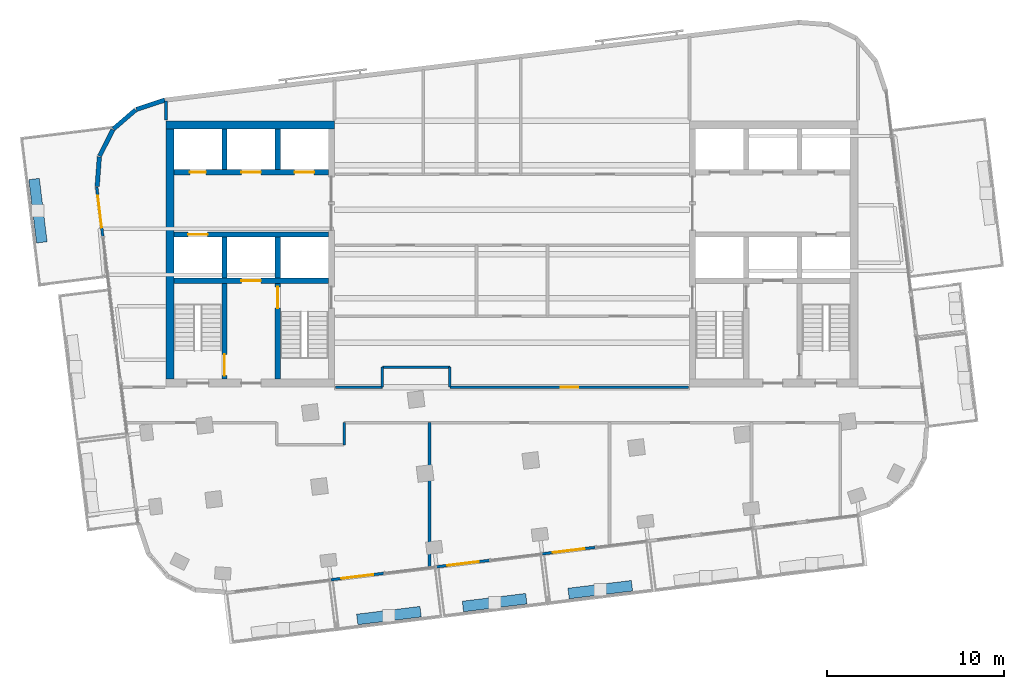
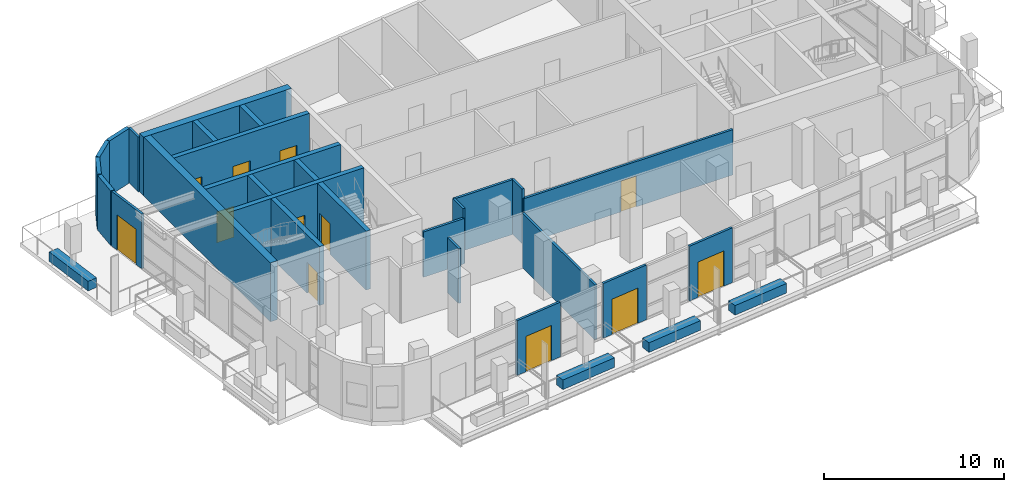
# One storey, part 7 of 14: 31 walls, 12 doors, 12 openings.
"""IFC4 building model written with IfcOpenShell, lengths in metres."""

from ifc_helpers import new_model, si_unit, direction, frame, frame_2d, origin, place, context, subcontext, project, spatial, rectangle, extrude, material, layer, layer_set, type_object, element, fill, save


model = new_model("IFC4")

# Units and contexts
model_context = context("Model", 3, precision=1e-05, world=origin(), true_north=direction((0.0, 1.0)))
body_context = subcontext(model_context, "Body", "Model", "MODEL_VIEW")
ifc_project = project(units=[si_unit("LENGTHUNIT", "METRE"), si_unit("AREAUNIT", "SQUARE_METRE"), si_unit("VOLUMEUNIT", "CUBIC_METRE"), si_unit("PLANEANGLEUNIT", "RADIAN"), si_unit("MASSUNIT", "GRAM", prefix="KILO")], contexts=[model_context])

# Site, building, storey
site_placement = place(None, origin())
site = spatial("IfcSite", under=ifc_project, at=site_placement, CompositionType="ELEMENT")
building_placement = place(site_placement, origin())
building = spatial("IfcBuilding", under=site, at=building_placement, Name="Torana Hotel and Residences", CompositionType="ELEMENT")
storey_placement = place(building_placement, frame((0.0, 0.0, 318.60009765625)))
storey = spatial("IfcBuildingStorey", under=building, at=storey_placement, Name="L84", CompositionType="ELEMENT", Elevation=318.60009765625)

# Wall, openings, doors
ifc_material_1 = material(Name="Concrete C60/75", Category="concrete")
ifc_layer_1 = layer(ifc_material_1, 0.300048828125)
ifc_layer_set_1 = layer_set([ifc_layer_1], Name="CORE WALL 300 C60/75")
wall_type_1 = type_object("IfcWallType", Name="CORE WALL 300 C60/75", PredefinedType="SHEAR", material=ifc_layer_set_1)
wall_1_placement = place(storey_placement, frame((-19.050048828125, -2.89990234375, 0.0), z_axis=(0.0, 0.0, 1.0), x_axis=(1.0, 0.0, 0.0)))
wall_1 = element("IfcWall", 1, at=wall_1_placement, inside=storey, type_object=wall_type_1, Name="Core wall W row-N", PredefinedType="SHEAR", context=body_context, shape_type="SweptSolid", body=[
    extrude(rectangle(XDim=8.699951171875, YDim=0.300048828125, at=frame_2d((4.35009765625, 0.0))), origin(), (0.0, 0.0, 1.0), 4.0),
])
opening_1_placement = place(wall_1_placement, frame((6.800048828125, 0.0, 0.0)))
opening_1 = element("IfcOpeningElement", 2, at=opening_1_placement, cuts=wall_1, Name="Opening LD", PredefinedType="OPENING", context=body_context, shape_type="SweptSolid", body=[
    extrude(rectangle(XDim=1.10009765625, YDim=2.10009765625, at=frame_2d((0.550048828125, 1.050048828125))), frame((0.0, 0.159912109375, 0.0), z_axis=(0.0, -1.0, 0.0), x_axis=(1.0, 0.0, 0.0)), (0.0, 0.0, 1.0), 0.320068359375),
])
opening_2_placement = place(wall_1_placement, frame((3.800048828125, 0.0, 0.0)))
opening_2 = element("IfcOpeningElement", 3, at=opening_2_placement, cuts=wall_1, Name="Opening LD", PredefinedType="OPENING", context=body_context, shape_type="SweptSolid", body=[
    extrude(rectangle(XDim=1.10009765625, YDim=2.10009765625, at=frame_2d((0.550048828125, 1.050048828125))), frame((0.0, 0.159912109375, 0.0), z_axis=(0.0, -1.0, 0.0), x_axis=(1.0, 0.0, 0.0)), (0.0, 0.0, 1.0), 0.320068359375),
])
opening_3_placement = place(wall_1_placement, frame((0.89990234375, 0.0, 0.0)))
opening_3 = element("IfcOpeningElement", 4, at=opening_3_placement, cuts=wall_1, Name="Opening L84-06", PredefinedType="OPENING", context=body_context, shape_type="SweptSolid", body=[
    extrude(rectangle(XDim=0.89990234375, YDim=2.10009765625, at=frame_2d((0.449951171875, 1.050048828125))), frame((0.0, 0.159912109375, 0.0), z_axis=(0.0, -1.0, 0.0), x_axis=(1.0, 0.0, 0.0)), (0.0, 0.0, 1.0), 0.320068359375),
])
ifc_material_2 = material(Name="Stainless steel 316", Category="steel")
door_type_1 = type_object("IfcDoorType", Name="LIFT LANDING DOOR LD 1100x2100", OperationType="DOUBLE_DOOR_SLIDING", PredefinedType="USERDEFINED", material=ifc_material_2)
door_1_placement = place(opening_1_placement, origin())
door_1 = element("IfcDoor", 5, at=door_1_placement, inside=storey, type_object=door_type_1, Name="Lift landing door H1 L84", ObjectType="LIFT LANDING DOOR", OperationType="DOUBLE_DOOR_SLIDING", OverallHeight=2.10009765625, OverallWidth=1.10009765625, PredefinedType="USERDEFINED", context=body_context, shape_type="SweptSolid", body=[
    extrude(rectangle(XDim=1.10009765625, YDim=2.10009765625, at=frame_2d((0.550048828125, 1.050048828125))), frame((0.0, 0.02490234375, 0.0), z_axis=(0.0, -1.0, 0.0), x_axis=(1.0, 0.0, 0.0)), (0.0, 0.0, 1.0), 0.050048828125),
])
fill(opening_1, door_1)
door_2_placement = place(opening_2_placement, origin())
door_2 = element("IfcDoor", 6, at=door_2_placement, inside=storey, type_object=door_type_1, Name="Lift landing door H2 L84", ObjectType="LIFT LANDING DOOR", OperationType="DOUBLE_DOOR_SLIDING", OverallHeight=2.10009765625, OverallWidth=1.10009765625, PredefinedType="USERDEFINED", context=body_context, shape_type="SweptSolid", body=[
    extrude(rectangle(XDim=1.10009765625, YDim=2.10009765625, at=frame_2d((0.550048828125, 1.050048828125))), frame((0.0, 0.02490234375, 0.0), z_axis=(0.0, -1.0, 0.0), x_axis=(1.0, 0.0, 0.0)), (0.0, 0.0, 1.0), 0.050048828125),
])
fill(opening_2, door_2)
ifc_material_3 = material(Name="Steel S235", Category="steel")
door_type_2 = type_object("IfcDoorType", Name="RISER ACCESS DOOR D5 900x2100", OperationType="SINGLE_SWING_LEFT", PredefinedType="DOOR", material=ifc_material_3)
door_3_placement = place(opening_3_placement, origin())
door_3 = element("IfcDoor", 7, at=door_3_placement, inside=storey, type_object=door_type_2, Name="N2 door L84", OperationType="SINGLE_SWING_RIGHT", OverallHeight=2.10009765625, OverallWidth=0.89990234375, PredefinedType="DOOR", context=body_context, shape_type="SweptSolid", body=[
    extrude(rectangle(XDim=0.89990234375, YDim=2.10009765625, at=frame_2d((0.449951171875, 1.050048828125))), frame((0.0, 0.02490234375, 0.0), z_axis=(0.0, -1.0, 0.0), x_axis=(1.0, 0.0, 0.0)), (0.0, 0.0, 1.0), 0.050048828125),
])
fill(opening_3, door_3)

# Wall, opening, door
wall_2_placement = place(storey_placement, frame((-19.050048828125, -6.39990234375, 0.0), z_axis=(0.0, 0.0, 1.0), x_axis=(1.0, 0.0, 0.0)))
wall_2 = element("IfcWall", 8, at=wall_2_placement, inside=storey, type_object=wall_type_1, Name="Core wall W row-S", PredefinedType="SHEAR", context=body_context, shape_type="SweptSolid", body=[
    extrude(rectangle(XDim=8.699951171875, YDim=0.300048828125, at=frame_2d((4.35009765625, 0.0))), origin(), (0.0, 0.0, 1.0), 4.0),
])
opening_4_placement = place(wall_2_placement, frame((0.800048828125, 0.0, 0.0)))
opening_4 = element("IfcOpeningElement", 9, at=opening_4_placement, cuts=wall_2, Name="Opening LD", PredefinedType="OPENING", context=body_context, shape_type="SweptSolid", body=[
    extrude(rectangle(XDim=1.10009765625, YDim=2.10009765625, at=frame_2d((0.550048828125, 1.050048828125))), frame((0.0, 0.159912109375, 0.0), z_axis=(0.0, -1.0, 0.0), x_axis=(1.0, 0.0, 0.0)), (0.0, 0.0, 1.0), 0.320068359375),
])
door_4_placement = place(opening_4_placement, origin())
door_4 = element("IfcDoor", 10, at=door_4_placement, inside=storey, type_object=door_type_1, Name="Lift landing door SV1 L84", ObjectType="LIFT LANDING DOOR", OperationType="DOUBLE_DOOR_SLIDING", OverallHeight=2.10009765625, OverallWidth=1.10009765625, PredefinedType="USERDEFINED", context=body_context, shape_type="SweptSolid", body=[
    extrude(rectangle(XDim=1.10009765625, YDim=2.10009765625, at=frame_2d((0.550048828125, 1.050048828125))), frame((0.0, 0.02490234375, 0.0), z_axis=(0.0, -1.0, 0.0), x_axis=(1.0, 0.0, 0.0)), (0.0, 0.0, 1.0), 0.050048828125),
])
fill(opening_4, door_4)

wall_3_placement = place(storey_placement, frame((-19.050048828125, -9.0, 0.0), z_axis=(0.0, 0.0, 1.0), x_axis=(1.0, 0.0, 0.0)))
wall_3 = element("IfcWall", 11, at=wall_3_placement, inside=storey, type_object=wall_type_1, Name="Core wall W band", PredefinedType="SHEAR", context=body_context, shape_type="SweptSolid", body=[
    extrude(rectangle(XDim=8.699951171875, YDim=0.300048828125, at=frame_2d((4.35009765625, 0.0))), origin(), (0.0, 0.0, 1.0), 4.0),
])
opening_5_placement = place(wall_3_placement, frame((3.800048828125, 0.0, 0.0)))
opening_5 = element("IfcOpeningElement", 12, at=opening_5_placement, cuts=wall_3, Name="Opening LD", PredefinedType="OPENING", context=body_context, shape_type="SweptSolid", body=[
    extrude(rectangle(XDim=1.10009765625, YDim=2.10009765625, at=frame_2d((0.550048828125, 1.050048828125))), frame((0.0, 0.159912109375, 0.0), z_axis=(0.0, -1.0, 0.0), x_axis=(1.0, 0.0, 0.0)), (0.0, 0.0, 1.0), 0.320068359375),
])
door_5_placement = place(opening_5_placement, origin())
door_5 = element("IfcDoor", 13, at=door_5_placement, inside=storey, type_object=door_type_1, Name="Lift landing door FF1 L84", ObjectType="LIFT LANDING DOOR", OperationType="DOUBLE_DOOR_SLIDING", OverallHeight=2.10009765625, OverallWidth=1.10009765625, PredefinedType="USERDEFINED", context=body_context, shape_type="SweptSolid", body=[
    extrude(rectangle(XDim=1.10009765625, YDim=2.10009765625, at=frame_2d((0.550048828125, 1.050048828125))), frame((0.0, 0.02490234375, 0.0), z_axis=(0.0, -1.0, 0.0), x_axis=(1.0, 0.0, 0.0)), (0.0, 0.0, 1.0), 0.050048828125),
])
fill(opening_5, door_5)

# Walls
for number, where, z_axis, x_axis, name in (
    (14, (-13.199951171875, -2.75, 0.0), (0.0, 0.0, 1.0), (0.0, 1.0, 0.0), "Core wall W x3.05-N"),
    (15, (-13.199951171875, -8.85009765625, 0.0), (0.0, 0.0, 1.0), (0.0, 1.0, 0.0), "Core wall W x3.05-S"),
):
    element("IfcWall", number, at=place(storey_placement, frame(where, z_axis=z_axis, x_axis=x_axis)), inside=storey, type_object=wall_type_1, Name=name, PredefinedType="SHEAR", context=body_context, shape_type="SweptSolid", body=[
        extrude(rectangle(XDim=2.300048828125, YDim=0.300048828125, at=frame_2d((1.14990234375, 0.0))), origin(), (0.0, 0.0, 1.0), 4.0),
    ])

# Wall, opening, door
wall_4_placement = place(storey_placement, frame((-13.199951171875, -14.550048828125, 0.0), z_axis=(0.0, 0.0, 1.0), x_axis=(0.0, 1.0, 0.0)))
wall_4 = element("IfcWall", 16, at=wall_4_placement, inside=storey, type_object=wall_type_1, Name="Core wall W x3.05-band", PredefinedType="SHEAR", context=body_context, shape_type="SweptSolid", body=[
    extrude(rectangle(XDim=5.400146484375, YDim=0.300048828125, at=frame_2d((2.7001953125, 0.0))), origin(), (0.0, 0.0, 1.0), 4.0),
])
opening_6_placement = place(wall_4_placement, frame((4.0, 0.0, 0.0)))
opening_6 = element("IfcOpeningElement", 17, at=opening_6_placement, cuts=wall_4, Name="Opening L84-07", PredefinedType="OPENING", context=body_context, shape_type="SweptSolid", body=[
    extrude(rectangle(XDim=1.199951171875, YDim=2.10009765625, at=frame_2d((0.60009765625, 1.050048828125))), frame((0.0, 0.159912109375, 0.0), z_axis=(0.0, -1.0, 0.0), x_axis=(1.0, 0.0, 0.0)), (0.0, 0.0, 1.0), 0.320068359375),
])
ifc_material_4 = material(Name="Steel S235", Category="steel")
door_type_3 = type_object("IfcDoorType", Name="STAIR FIRE DOOR D3 1200x2100", OperationType="SINGLE_SWING_LEFT", PredefinedType="DOOR", material=ifc_material_4)
door_6_placement = place(opening_6_placement, frame((0.60009765625, 0.0, 0.0), z_axis=(0.0, 0.0, 1.0), x_axis=(-1.0, 0.0, 0.0)))
door_6 = element("IfcDoor", 18, at=door_6_placement, inside=storey, type_object=door_type_3, Name="Stair-A-lobby door L84", OperationType="SINGLE_SWING_RIGHT", OverallHeight=2.10009765625, OverallWidth=1.199951171875, PredefinedType="DOOR", context=body_context, shape_type="SweptSolid", body=[
    extrude(rectangle(XDim=1.199951171875, YDim=2.10009765625, at=frame_2d((0.0, 1.050048828125))), frame((0.0, -0.02490234375, 0.0), z_axis=(0.0, 1.0, 0.0), x_axis=(-1.0, 0.0, 0.0)), (0.0, 0.0, 1.0), 0.050048828125),
])
fill(opening_6, door_6)

# Walls
for number, where, z_axis, x_axis, name in (
    (19, (-16.199951171875, -2.75, 0.0), (0.0, 0.0, 1.0), (0.0, 1.0, 0.0), "Core wall W x6.05-N"),
    (20, (-16.199951171875, -8.85009765625, 0.0), (0.0, 0.0, 1.0), (0.0, 1.0, 0.0), "Core wall W x6.05-S"),
):
    element("IfcWall", number, at=place(storey_placement, frame(where, z_axis=z_axis, x_axis=x_axis)), inside=storey, type_object=wall_type_1, Name=name, PredefinedType="SHEAR", context=body_context, shape_type="SweptSolid", body=[
        extrude(rectangle(XDim=2.300048828125, YDim=0.300048828125, at=frame_2d((1.14990234375, 0.0))), origin(), (0.0, 0.0, 1.0), 4.0),
    ])

# Wall, opening, door
wall_5_placement = place(storey_placement, frame((-16.199951171875, -14.550048828125, 0.0), z_axis=(0.0, 0.0, 1.0), x_axis=(0.0, 1.0, 0.0)))
wall_5 = element("IfcWall", 21, at=wall_5_placement, inside=storey, type_object=wall_type_1, Name="Core wall W x6.05-band", PredefinedType="SHEAR", context=body_context, shape_type="SweptSolid", body=[
    extrude(rectangle(XDim=5.400146484375, YDim=0.300048828125, at=frame_2d((2.7001953125, 0.0))), origin(), (0.0, 0.0, 1.0), 4.0),
])
opening_7_placement = place(wall_5_placement, frame((0.199951171875, 0.0, 0.0)))
opening_7 = element("IfcOpeningElement", 22, at=opening_7_placement, cuts=wall_5, Name="Opening L84-08", PredefinedType="OPENING", context=body_context, shape_type="SweptSolid", body=[
    extrude(rectangle(XDim=1.199951171875, YDim=2.10009765625, at=frame_2d((0.60009765625, 1.050048828125))), frame((0.0, 0.159912109375, 0.0), z_axis=(0.0, -1.0, 0.0), x_axis=(1.0, 0.0, 0.0)), (0.0, 0.0, 1.0), 0.320068359375),
])
door_7_placement = place(opening_7_placement, origin())
door_7 = element("IfcDoor", 23, at=door_7_placement, inside=storey, type_object=door_type_3, Name="Stair-B-lobby door L84", OperationType="SINGLE_SWING_RIGHT", OverallHeight=2.10009765625, OverallWidth=1.199951171875, PredefinedType="DOOR", context=body_context, shape_type="SweptSolid", body=[
    extrude(rectangle(XDim=1.199951171875, YDim=2.10009765625, at=frame_2d((0.60009765625, 1.050048828125))), frame((0.0, 0.02490234375, 0.0), z_axis=(0.0, -1.0, 0.0), x_axis=(1.0, 0.0, 0.0)), (0.0, 0.0, 1.0), 0.050048828125),
])
fill(opening_7, door_7)

# Walls
ifc_material_5 = material(Name="Concrete C60/75", Category="concrete")
ifc_layer_2 = layer(ifc_material_5, 0.449951171875)
ifc_layer_set_2 = layer_set([ifc_layer_2], Name="CORE WALL 450 C60/75")
wall_type_2 = type_object("IfcWallType", Name="CORE WALL 450 C60/75", PredefinedType="SHEAR", material=ifc_layer_set_2)
wall_6_placement = place(storey_placement, frame((-19.5, -0.22509765625, 0.0), z_axis=(0.0, 0.0, 1.0), x_axis=(1.0, 0.0, 0.0)))
element("IfcWall", 24, at=wall_6_placement, inside=storey, type_object=wall_type_2, Name="Core wall W rear", PredefinedType="SHEAR", context=body_context, shape_type="SweptSolid", body=[
    extrude(rectangle(XDim=9.5, YDim=0.449951171875, at=frame_2d((4.75, 0.0))), origin(), (0.0, 0.0, 1.0), 4.0),
])
wall_7_placement = place(storey_placement, frame((-19.27490234375, -14.550048828125, 0.0), z_axis=(0.0, 0.0, 1.0), x_axis=(0.0, 1.0, 0.0)))
element("IfcWall", 25, at=wall_7_placement, inside=storey, type_object=wall_type_2, Name="Core wall W outer", PredefinedType="SHEAR", context=body_context, shape_type="SweptSolid", body=[
    extrude(rectangle(XDim=14.10009765625, YDim=0.449951171875, at=frame_2d((7.050048828125, 0.0))), origin(), (0.0, 0.0, 1.0), 4.0),
])
ifc_material_6 = material(Name="Black aluminium composite panel", Category="aluminium")
ifc_layer_3 = layer(ifc_material_6, 0.00390625, Name="Cladding", Category="cladding")
ifc_material_7 = material(Name="Ventilated air cavity")
ifc_layer_4 = layer(ifc_material_7, 0.0400390625, Name="Ventilated cavity", Category="cavity")
ifc_material_8 = material(Name="Mineral wool insulation")
ifc_layer_5 = layer(ifc_material_8, 0.090087890625, Name="Insulation", Category="insulation")
ifc_material_9 = material(Name="Steel S280GD", Category="steel")
ifc_layer_6 = layer(ifc_material_9, 0.092041015625, Name="Steel stud frame", Category="structure")
ifc_material_10 = material(Name="Fire rated plasterboard")
ifc_layer_7 = layer(ifc_material_10, 0.011962890625, Name="Inner board", Category="finish")
ifc_layer_8 = layer(ifc_material_10, 0.011962890625, Name="Second board", Category="finish")
ifc_layer_set_3 = layer_set([ifc_layer_3, ifc_layer_4, ifc_layer_5, ifc_layer_6, ifc_layer_7, ifc_layer_8], Name="EW1 EXTERNAL WALL BLACK METAL CLAD 250")
wall_type_3 = type_object("IfcWallType", Name="EW1 EXTERNAL WALL BLACK METAL CLAD 250", PredefinedType="SOLIDWALL", material=ifc_layer_set_3)
wall_8_placement = place(storey_placement, frame((-19.568359375, 1.1748046875, 0.0), z_axis=(0.0, 0.0, 1.0), x_axis=(-0.949694735798, -0.313177120489, 0.0)))
element("IfcWall", 26, at=wall_8_placement, inside=storey, type_object=wall_type_3, Name="External wall L84 e0.5", PredefinedType="SOLIDWALL", context=body_context, shape_type="SweptSolid", body=[
    extrude(rectangle(XDim=1.681396484375, YDim=0.25, at=frame_2d((0.8408203125, 0.0))), origin(), (0.0, 0.0, 1.0), 3.719970703125),
])
wall_9_placement = place(storey_placement, frame((-21.207763671875, 0.624267578125, 0.0), z_axis=(0.0, 0.0, 1.0), x_axis=(-0.757568315466, -0.652755886531, 0.0)))
element("IfcWall", 27, at=wall_9_placement, inside=storey, type_object=wall_type_3, Name="External wall L84 e0.6", PredefinedType="SOLIDWALL", context=body_context, shape_type="SweptSolid", body=[
    extrude(rectangle(XDim=1.65625, YDim=0.25, at=frame_2d((0.828125, 0.0))), origin(), (0.0, 0.0, 1.0), 3.719970703125),
])
wall_10_placement = place(storey_placement, frame((-22.49267578125, -0.495361328125, 0.0), z_axis=(0.0, 0.0, 1.0), x_axis=(-0.449982385812, -0.893037430604, 0.0)))
element("IfcWall", 28, at=wall_10_placement, inside=storey, type_object=wall_type_3, Name="External wall L84 e0.7", PredefinedType="SOLIDWALL", context=body_context, shape_type="SweptSolid", body=[
    extrude(rectangle(XDim=1.656494140625, YDim=0.25, at=frame_2d((0.828125, 0.0))), origin(), (0.0, 0.0, 1.0), 3.719970703125),
])
wall_11_placement = place(storey_placement, frame((-23.251220703125, -2.021484375, 0.0), z_axis=(0.0, 0.0, 1.0), x_axis=(-0.074053534713, -0.997254267475, 0.0)))
element("IfcWall", 29, at=wall_11_placement, inside=storey, type_object=wall_type_3, Name="External wall L84 e0.8", PredefinedType="SOLIDWALL", context=body_context, shape_type="SweptSolid", body=[
    extrude(rectangle(XDim=1.681396484375, YDim=0.25, at=frame_2d((0.8408203125, 0.0))), origin(), (0.0, 0.0, 1.0), 3.719970703125),
])
ifc_material_11 = material(Name="Gypsum plaster")
ifc_layer_9 = layer(ifc_material_11, 0.014892578125, Name="Plaster", Category="finish")
ifc_material_12 = material(Name="Concrete blockwork", Category="masonry")
ifc_layer_10 = layer(ifc_material_12, 0.1201171875, Name="Blockwork", Category="structure")
ifc_layer_11 = layer(ifc_material_11, 0.014892578125, Name="Plaster", Category="finish")
ifc_layer_set_4 = layer_set([ifc_layer_9, ifc_layer_10, ifc_layer_11], Name="FIRE PARTITION 150 BLOCKWORK")
wall_type_4 = type_object("IfcWallType", Name="FIRE PARTITION 150 BLOCKWORK", PredefinedType="PARTITIONING", material=ifc_layer_set_4)
for number, where, z_axis, x_axis, name in (
    (30, (-3.506103515625, -15.0, 0.0), (0.0, 0.0, 1.0), (0.0, 1.0, 0.0), "Partition L84"),
    (31, (-7.30810546875, -15.0, 0.0), (0.0, 0.0, 1.0), (0.0, 1.0, 0.0), "Partition L84"),
):
    element("IfcWall", number, at=place(storey_placement, frame(where, z_axis=z_axis, x_axis=x_axis)), inside=storey, type_object=wall_type_4, Name=name, PredefinedType="PARTITIONING", context=body_context, shape_type="SweptSolid", body=[
        extrude(rectangle(XDim=1.1279296875, YDim=0.14990234375, at=frame_2d((0.56396484375, 0.0))), origin(), (0.0, 0.0, 1.0), 3.719970703125),
    ])
wall_12_placement = place(storey_placement, frame((-9.4609375, -18.2548828125, 0.0), z_axis=(0.0, 0.0, 1.0), x_axis=(0.0, 1.0, 0.0)))
element("IfcWall", 32, at=wall_12_placement, inside=storey, type_object=wall_type_4, Name="Partition L84", PredefinedType="PARTITIONING", context=body_context, shape_type="SweptSolid", body=[
    extrude(rectangle(XDim=1.2548828125, YDim=0.14990234375, at=frame_2d((0.62744140625, 0.0))), origin(), (0.0, 0.0, 1.0), 3.719970703125),
])
wall_13_placement = place(storey_placement, frame((-9.949951171875, -15.0, 0.0), z_axis=(0.0, 0.0, 1.0), x_axis=(1.0, 0.0, 0.0)))
element("IfcWall", 33, at=wall_13_placement, inside=storey, type_object=wall_type_4, Name="Partition L84", PredefinedType="PARTITIONING", context=body_context, shape_type="SweptSolid", body=[
    extrude(rectangle(XDim=2.641845703125, YDim=0.14990234375, at=frame_2d((1.32080078125, 0.0))), origin(), (0.0, 0.0, 1.0), 3.083984375),
])

# Wall, opening, door
wall_14_placement = place(storey_placement, frame((-3.506103515625, -15.0, 0.0), z_axis=(0.0, 0.0, 1.0), x_axis=(1.0, 0.0, 0.0)))
wall_14 = element("IfcWall", 34, at=wall_14_placement, inside=storey, type_object=wall_type_4, Name="Partition L84", PredefinedType="PARTITIONING", context=body_context, shape_type="SweptSolid", body=[
    extrude(rectangle(XDim=13.4560546875, YDim=0.14990234375, at=frame_2d((6.72802734375, 0.0))), origin(), (0.0, 0.0, 1.0), 3.083984375),
])
opening_8_placement = place(wall_14_placement, frame((6.2529296875, 0.0, 0.0)))
opening_8 = element("IfcOpeningElement", 35, at=opening_8_placement, cuts=wall_14, Name="Opening L84-17", PredefinedType="OPENING", context=body_context, shape_type="SweptSolid", body=[
    extrude(rectangle(XDim=1.0, YDim=2.10009765625, at=frame_2d((0.5, 1.050048828125))), frame((0.0, 0.0849609375, 0.0), z_axis=(0.0, -1.0, 0.0), x_axis=(1.0, 0.0, 0.0)), (0.0, 0.0, 1.0), 0.169921875),
])
ifc_material_13 = material(Name="Steel S235", Category="steel")
door_type_4 = type_object("IfcDoorType", Name="ENTRY FIRE DOOR D6 1000x2100", OperationType="SINGLE_SWING_LEFT", PredefinedType="DOOR", material=ifc_material_13)
door_8_placement = place(opening_8_placement, origin())
door_8 = element("IfcDoor", 36, at=door_8_placement, inside=storey, type_object=door_type_4, Name="Door L84", OperationType="SINGLE_SWING_RIGHT", OverallHeight=2.10009765625, OverallWidth=1.0, PredefinedType="DOOR", context=body_context, shape_type="SweptSolid", body=[
    extrude(rectangle(XDim=1.0, YDim=2.10009765625, at=frame_2d((0.5, 1.050048828125))), frame((0.0, 0.02490234375, 0.0), z_axis=(0.0, -1.0, 0.0), x_axis=(1.0, 0.0, 0.0)), (0.0, 0.0, 1.0), 0.050048828125),
])
fill(opening_8, door_8)

# Wall
wall_15_placement = place(storey_placement, frame((-7.30810546875, -13.8720703125, 0.0), z_axis=(0.0, 0.0, 1.0), x_axis=(1.0, 0.0, 0.0)))
element("IfcWall", 37, at=wall_15_placement, inside=storey, type_object=wall_type_4, Name="Partition L84", PredefinedType="PARTITIONING", context=body_context, shape_type="SweptSolid", body=[
    extrude(rectangle(XDim=3.802001953125, YDim=0.14990234375, at=frame_2d((1.90087890625, 0.0))), origin(), (0.0, 0.0, 1.0), 3.719970703125),
])

# Wall, opening, door
ifc_material_14 = material(Name="Dark glass screen in aluminium frame", Category="aluminium")
ifc_layer_12 = layer(ifc_material_14, 0.14990234375)
ifc_layer_set_5 = layer_set([ifc_layer_12], Name="GS1 GLAZED DOOR SCREEN 150")
wall_type_5 = type_object("IfcWallType", Name="GS1 GLAZED DOOR SCREEN 150", PredefinedType="USERDEFINED", material=ifc_layer_set_5)
wall_16_placement = place(storey_placement, frame((-23.39990234375, -3.725830078125, 0.0), z_axis=(0.0, 0.0, 1.0), x_axis=(0.121830924856, -0.992550868091, 0.0)))
wall_16 = element("IfcWall", 38, at=wall_16_placement, inside=storey, type_object=wall_type_5, Name="Glazed door screen L84", ObjectType="GLAZED SCREEN", PredefinedType="USERDEFINED", context=body_context, shape_type="SweptSolid", body=[
    extrude(rectangle(XDim=2.79541015625, YDim=0.14990234375, at=frame_2d((1.397705078125, 0.0))), origin(), (0.0, 0.0, 1.0), 3.719970703125),
])
opening_9_placement = place(wall_16_placement, frame((0.497802734375, 0.0, 0.0)))
opening_9 = element("IfcOpeningElement", 39, at=opening_9_placement, cuts=wall_16, Name="Opening L84-E01", PredefinedType="OPENING", context=body_context, shape_type="SweptSolid", body=[
    extrude(rectangle(XDim=1.800048828125, YDim=2.39990234375, at=frame_2d((0.89990234375, 1.199951171875))), frame((0.0, 0.0849609375, 0.0), z_axis=(0.0, -1.0, 0.0), x_axis=(1.0, 0.0, 0.0)), (0.0, 0.0, 1.0), 0.169921875),
])
ifc_material_15 = material(Name="Dark glass in black aluminium frame", Category="aluminium")
door_type_5 = type_object("IfcDoorType", Name="DB1 BALCONY DOOR 1800x2400", OperationType="DOUBLE_DOOR_SINGLE_SWING", PredefinedType="DOOR", material=ifc_material_15)
door_9_placement = place(opening_9_placement, origin())
door_9 = element("IfcDoor", 40, at=door_9_placement, inside=storey, type_object=door_type_5, Name="Balcony door L84", OperationType="DOUBLE_DOOR_SINGLE_SWING", OverallHeight=2.39990234375, OverallWidth=1.800048828125, PredefinedType="DOOR", context=body_context, shape_type="SweptSolid", body=[
    extrude(rectangle(XDim=1.800048828125, YDim=2.39990234375, at=frame_2d((0.89990234375, 1.199951171875))), frame((0.0, 0.02490234375, 0.0), z_axis=(0.0, -1.0, 0.0), x_axis=(1.0, 0.0, 0.0)), (0.0, 0.0, 1.0), 0.050048828125),
])
fill(opening_9, door_9)

wall_17_placement = place(storey_placement, frame((-10.204345703125, -25.85791015625, 0.0), z_axis=(0.0, 0.0, 1.0), x_axis=(0.99255088108, 0.121830819037, 0.0)))
wall_17 = element("IfcWall", 41, at=wall_17_placement, inside=storey, type_object=wall_type_5, Name="Glazed door screen L84", ObjectType="GLAZED SCREEN", PredefinedType="USERDEFINED", context=body_context, shape_type="SweptSolid", body=[
    extrude(rectangle(XDim=3.0, YDim=0.14990234375, at=frame_2d((1.5, 0.0))), origin(), (0.0, 0.0, 1.0), 3.719970703125),
])
opening_10_placement = place(wall_17_placement, frame((0.60009765625, 0.0, 0.0)))
opening_10 = element("IfcOpeningElement", 42, at=opening_10_placement, cuts=wall_17, Name="Opening L84-E05", PredefinedType="OPENING", context=body_context, shape_type="SweptSolid", body=[
    extrude(rectangle(XDim=1.800048828125, YDim=2.39990234375, at=frame_2d((0.89990234375, 1.199951171875))), frame((0.0, 0.0849609375, 0.0), z_axis=(0.0, -1.0, 0.0), x_axis=(1.0, 0.0, 0.0)), (0.0, 0.0, 1.0), 0.169921875),
])
door_10_placement = place(opening_10_placement, origin())
door_10 = element("IfcDoor", 43, at=door_10_placement, inside=storey, type_object=door_type_5, Name="Balcony door L84", OperationType="DOUBLE_DOOR_SINGLE_SWING", OverallHeight=2.39990234375, OverallWidth=1.800048828125, PredefinedType="DOOR", context=body_context, shape_type="SweptSolid", body=[
    extrude(rectangle(XDim=1.800048828125, YDim=2.39990234375, at=frame_2d((0.89990234375, 1.199951171875))), frame((0.0, 0.02490234375, 0.0), z_axis=(0.0, -1.0, 0.0), x_axis=(1.0, 0.0, 0.0)), (0.0, 0.0, 1.0), 0.050048828125),
])
fill(opening_10, door_10)

wall_18_placement = place(storey_placement, frame((-4.2490234375, -25.126708984375, 0.0), z_axis=(0.0, 0.0, 1.0), x_axis=(0.99255088108, 0.121830819037, 0.0)))
wall_18 = element("IfcWall", 44, at=wall_18_placement, inside=storey, type_object=wall_type_5, Name="Glazed door screen L84", ObjectType="GLAZED SCREEN", PredefinedType="USERDEFINED", context=body_context, shape_type="SweptSolid", body=[
    extrude(rectangle(XDim=3.0, YDim=0.14990234375, at=frame_2d((1.5, 0.0))), origin(), (0.0, 0.0, 1.0), 3.719970703125),
])
opening_11_placement = place(wall_18_placement, frame((0.60009765625, 0.0, 0.0)))
opening_11 = element("IfcOpeningElement", 45, at=opening_11_placement, cuts=wall_18, Name="Opening L84-E06", PredefinedType="OPENING", context=body_context, shape_type="SweptSolid", body=[
    extrude(rectangle(XDim=1.800048828125, YDim=2.39990234375, at=frame_2d((0.89990234375, 1.199951171875))), frame((0.0, 0.0849609375, 0.0), z_axis=(0.0, -1.0, 0.0), x_axis=(1.0, 0.0, 0.0)), (0.0, 0.0, 1.0), 0.169921875),
])
door_11_placement = place(opening_11_placement, origin())
door_11 = element("IfcDoor", 46, at=door_11_placement, inside=storey, type_object=door_type_5, Name="Balcony door L84", OperationType="DOUBLE_DOOR_SINGLE_SWING", OverallHeight=2.39990234375, OverallWidth=1.800048828125, PredefinedType="DOOR", context=body_context, shape_type="SweptSolid", body=[
    extrude(rectangle(XDim=1.800048828125, YDim=2.39990234375, at=frame_2d((0.89990234375, 1.199951171875))), frame((0.0, 0.02490234375, 0.0), z_axis=(0.0, -1.0, 0.0), x_axis=(1.0, 0.0, 0.0)), (0.0, 0.0, 1.0), 0.050048828125),
])
fill(opening_11, door_11)

wall_19_placement = place(storey_placement, frame((1.706298828125, -24.3955078125, 0.0), z_axis=(0.0, 0.0, 1.0), x_axis=(0.99255088108, 0.121830819037, 0.0)))
wall_19 = element("IfcWall", 47, at=wall_19_placement, inside=storey, type_object=wall_type_5, Name="Glazed door screen L84", ObjectType="GLAZED SCREEN", PredefinedType="USERDEFINED", context=body_context, shape_type="SweptSolid", body=[
    extrude(rectangle(XDim=3.0, YDim=0.14990234375, at=frame_2d((1.5, 0.0))), origin(), (0.0, 0.0, 1.0), 3.719970703125),
])
opening_12_placement = place(wall_19_placement, frame((0.60009765625, 0.0, 0.0)))
opening_12 = element("IfcOpeningElement", 48, at=opening_12_placement, cuts=wall_19, Name="Opening L84-E07", PredefinedType="OPENING", context=body_context, shape_type="SweptSolid", body=[
    extrude(rectangle(XDim=1.800048828125, YDim=2.39990234375, at=frame_2d((0.89990234375, 1.199951171875))), frame((0.0, 0.0849609375, 0.0), z_axis=(0.0, -1.0, 0.0), x_axis=(1.0, 0.0, 0.0)), (0.0, 0.0, 1.0), 0.169921875),
])
door_12_placement = place(opening_12_placement, origin())
door_12 = element("IfcDoor", 49, at=door_12_placement, inside=storey, type_object=door_type_5, Name="Balcony door L84", OperationType="DOUBLE_DOOR_SINGLE_SWING", OverallHeight=2.39990234375, OverallWidth=1.800048828125, PredefinedType="DOOR", context=body_context, shape_type="SweptSolid", body=[
    extrude(rectangle(XDim=1.800048828125, YDim=2.39990234375, at=frame_2d((0.89990234375, 1.199951171875))), frame((0.0, 0.02490234375, 0.0), z_axis=(0.0, -1.0, 0.0), x_axis=(1.0, 0.0, 0.0)), (0.0, 0.0, 1.0), 0.050048828125),
])
fill(opening_12, door_12)

# Walls
ifc_material_16 = material(Name="Gypsum plasterboard")
ifc_layer_13 = layer(ifc_material_16, 0.012451171875, Name="Plasterboard", Category="finish")
ifc_layer_14 = layer(ifc_material_16, 0.012451171875, Name="Plasterboard", Category="finish")
ifc_layer_15 = layer(ifc_material_9, 0.10009765625, Name="Steel studs with mineral wool", Category="insulation")
ifc_layer_16 = layer(ifc_material_16, 0.012451171875, Name="Plasterboard", Category="finish")
ifc_layer_17 = layer(ifc_material_16, 0.012451171875, Name="Plasterboard", Category="finish")
ifc_layer_set_6 = layer_set([ifc_layer_13, ifc_layer_14, ifc_layer_15, ifc_layer_16, ifc_layer_17], Name="PARTITION 150 PLASTERBOARD")
wall_type_6 = type_object("IfcWallType", Name="PARTITION 150 PLASTERBOARD", PredefinedType="PARTITIONING", material=ifc_layer_set_6)
wall_20_placement = place(storey_placement, frame((-4.652099609375, -25.095703125, 0.0), z_axis=(0.0, 0.0, 1.0), x_axis=(0.0, 1.0, 0.0)))
element("IfcWall", 50, at=wall_20_placement, inside=storey, type_object=wall_type_6, Name="Partition L84", PredefinedType="PARTITIONING", context=body_context, shape_type="SweptSolid", body=[
    extrude(rectangle(XDim=8.095703125, YDim=0.14990234375, at=frame_2d((4.0478515625, 0.0))), origin(), (0.0, 0.0, 1.0), 3.719970703125),
])
wall_21_placement = place(storey_placement, frame((-19.5, 0.050048828125, 0.0), z_axis=(0.0, 0.0, 1.0), x_axis=(0.0, 1.0, 0.0)))
element("IfcWall", 51, at=wall_21_placement, inside=storey, type_object=wall_type_6, Name="Partition L84", PredefinedType="PARTITIONING", context=body_context, shape_type="SweptSolid", body=[
    extrude(rectangle(XDim=1.080322265625, YDim=0.14990234375, at=frame_2d((0.5400390625, 0.0))), origin(), (0.0, 0.0, 1.0), 3.719970703125),
])
ifc_material_17 = material(Name="Concrete C40/50 precast", Category="concrete")
ifc_layer_18 = layer(ifc_material_17, 0.10009765625, Name="Planter shell", Category="structure")
ifc_material_18 = material(Name="Root resistant membrane")
ifc_layer_19 = layer(ifc_material_18, 0.00390625, Name="Waterproofing membrane", Category="membrane")
ifc_material_19 = material(Name="Drainage board with filter fleece")
ifc_layer_20 = layer(ifc_material_19, 0.02001953125, Name="Drainage board", Category="drainage")
ifc_material_20 = material(Name="Growing medium")
ifc_layer_21 = layer(ifc_material_20, 0.47607421875, Name="Planting substrate", Category="soil")
ifc_layer_set_7 = layer_set([ifc_layer_18, ifc_layer_19, ifc_layer_20, ifc_layer_21], Name="PL1 BALCONY PLANTER 600")
wall_type_7 = type_object("IfcWallType", Name="PL1 BALCONY PLANTER 600", PredefinedType="USERDEFINED", material=ifc_layer_set_7)
for number, where, z_axis, x_axis, name in (
    (52, (-5.147705078125, -27.6552734375, 0.0), (0.0, 0.0, 1.0), (-0.992545758265, -0.121872547154, 0.0), "Planter 02"),
    (53, (0.8076171875, -26.924072265625, 0.0), (0.0, 0.0, 1.0), (-0.992545758265, -0.121872547154, 0.0), "Planter 03"),
):
    element("IfcWall", number, at=place(storey_placement, frame(where, z_axis=z_axis, x_axis=x_axis)), inside=storey, type_object=wall_type_7, Name=name, ObjectType="PLANTER", PredefinedType="USERDEFINED", context=body_context, shape_type="SweptSolid", body=[
        extrude(rectangle(XDim=3.599853515625, YDim=0.60009765625, at=frame_2d((1.7998046875, 0.0))), origin(), (0.0, 0.0, 1.0), 0.64990234375),
    ])
wall_22_placement = place(storey_placement, frame((6.762939453125, -26.19287109375, 0.0), z_axis=(0.0, 0.0, 1.0), x_axis=(-0.992546765488, -0.121864343918, 0.0)))
element("IfcWall", 54, at=wall_22_placement, inside=storey, type_object=wall_type_7, Name="Planter 04", ObjectType="PLANTER", PredefinedType="USERDEFINED", context=body_context, shape_type="SweptSolid", body=[
    extrude(rectangle(XDim=3.60009765625, YDim=0.60009765625, at=frame_2d((1.800048828125, 0.0))), origin(), (0.0, 0.0, 1.0), 0.64990234375),
])
wall_23_placement = place(storey_placement, frame((-26.492919921875, -6.8447265625, 0.0), z_axis=(0.0, 0.0, 1.0), x_axis=(-0.121872547154, 0.992545758265, 0.0)))
element("IfcWall", 55, at=wall_23_placement, inside=storey, type_object=wall_type_7, Name="Planter 09", ObjectType="PLANTER", PredefinedType="USERDEFINED", context=body_context, shape_type="SweptSolid", body=[
    extrude(rectangle(XDim=3.599853515625, YDim=0.60009765625, at=frame_2d((1.7998046875, 0.0))), origin(), (0.0, 0.0, 1.0), 0.64990234375),
])

save(model, "model.ifc")
